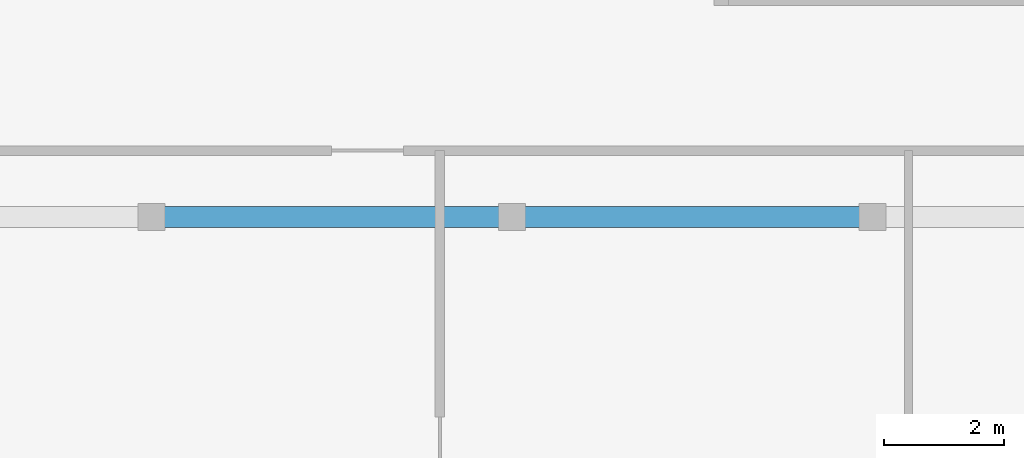
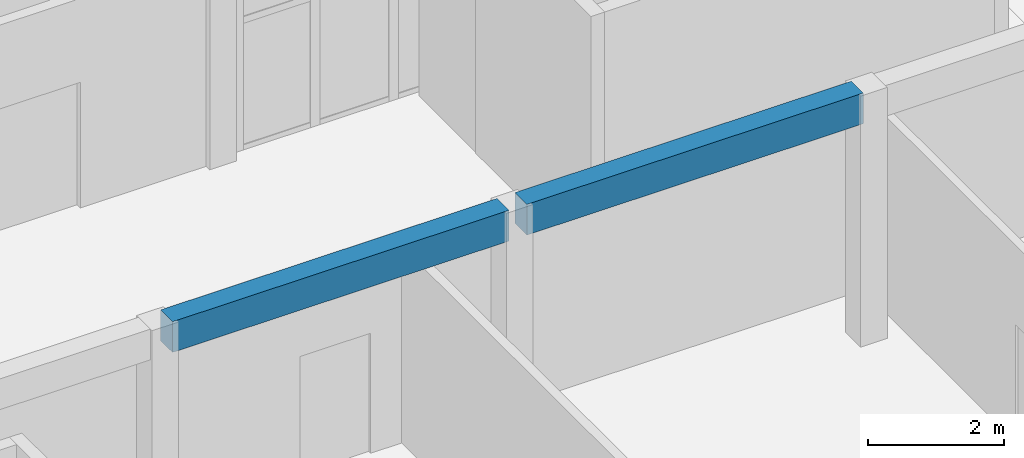
# One storey, part 49 of 132: 2 beams.
"""IFC4 building model written with IfcOpenShell, lengths in metres."""

from ifc_helpers import new_model, si_unit, direction, frame, origin, origin_2d, place, context, subcontext, project, spatial, rectangle, extrude, material, material_profile, profile_set, type_object, element, save


model = new_model("IFC4")

# Units and contexts
model_context = context("Model", 3, precision=1e-05, world=origin(), true_north=direction((0.0, 1.0)))
body_context = subcontext(model_context, "Body", "Model", "MODEL_VIEW")
ifc_project = project(units=[si_unit("LENGTHUNIT", "METRE"), si_unit("AREAUNIT", "SQUARE_METRE"), si_unit("VOLUMEUNIT", "CUBIC_METRE"), si_unit("PLANEANGLEUNIT", "RADIAN"), si_unit("MASSUNIT", "GRAM", prefix="KILO")], contexts=[model_context])

# Site, building, storey
site_placement = place(None, origin())
site = spatial("IfcSite", under=ifc_project, at=site_placement, CompositionType="ELEMENT")
building_placement = place(site_placement, origin())
building = spatial("IfcBuilding", under=site, at=building_placement, Name="Tanwirah Colonnade Gardens", CompositionType="ELEMENT")
storey_placement = place(building_placement, origin())
storey = spatial("IfcBuildingStorey", under=building, at=storey_placement, Name="L00", CompositionType="ELEMENT", Elevation=0.0)

# Beams
ifc_material = material(Name="Precast concrete C40/50", Category="concrete")
ifc_material_profile = material_profile(ifc_material, rectangle(XDim=0.35009765625, YDim=0.550048828125, at=origin_2d()), Name="PC-BM 350x550")
ifc_profile_set = profile_set([ifc_material_profile], Name="Precast concrete C40/50")
beam_type = type_object("IfcBeamType", Name="BM-PC350A", PredefinedType="BEAM", material=ifc_profile_set)
for number, where, z_axis, x_axis, name in (
    (1, (90.14990234375, 100.699951171875, 4.219970703125), (1.0, 0.0, 0.0), (0.0, 1.0, 0.0), "Nursery L00 Beam X-2.1"),
    (2, (96.14990234375, 100.699951171875, 4.219970703125), (1.0, 0.0, 0.0), (0.0, 1.0, 0.0), "Nursery L00 Beam X-3.1"),
):
    element("IfcBeam", number, at=place(storey_placement, frame(where, z_axis=z_axis, x_axis=x_axis)), inside=storey, type_object=beam_type, Name=name, PredefinedType="BEAM", context=body_context, shape_type="SweptSolid", body=[
        extrude(rectangle(XDim=0.35009765625, YDim=0.550048828125, at=origin_2d()), origin(), (0.0, 0.0, 1.0), 5.7001953125),
    ])

save(model, "model.ifc")
